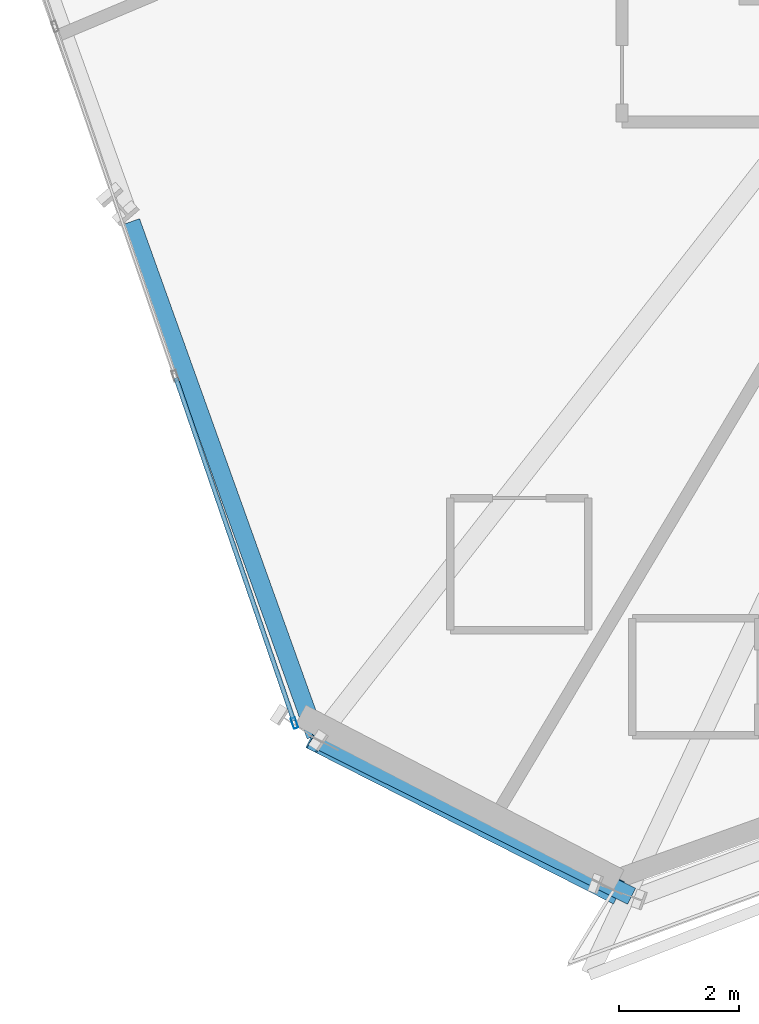
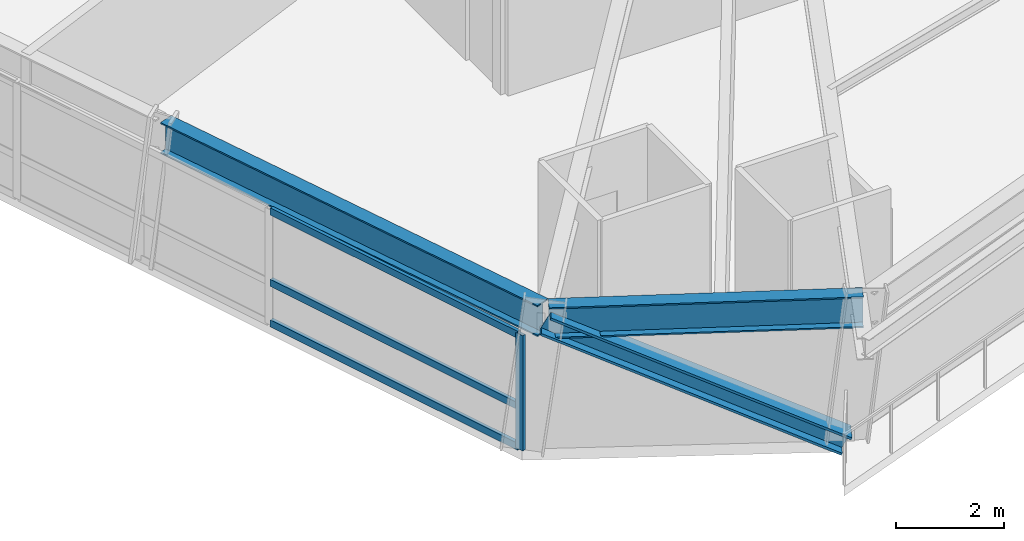
# One storey, part 2 of 22: 5 members, 2 beams, 1 element without a shape of its own.
"""IFC4 building model written with IfcOpenShell, lengths in metres."""

from ifc_helpers import new_model, si_unit, direction, frame, origin, origin_2d, place, context, subcontext, project, spatial, hollow_rectangle, i_section, extrude, source, transform, mapped, material, material_profile, profile_set, type_object, element, aggregate, save


model = new_model("IFC4")

# Units and contexts
model_context = context("Model", 3, precision=1e-05, world=origin(), true_north=direction((0.0, 1.0)))
body_context = subcontext(model_context, "Body", "Model", "MODEL_VIEW")
ifc_project = project(units=[si_unit("LENGTHUNIT", "METRE"), si_unit("AREAUNIT", "SQUARE_METRE"), si_unit("VOLUMEUNIT", "CUBIC_METRE"), si_unit("PLANEANGLEUNIT", "RADIAN"), si_unit("MASSUNIT", "GRAM", prefix="KILO")], contexts=[model_context])

# Site, building, storey
site_placement = place(None, origin())
site = spatial("IfcSite", under=ifc_project, at=site_placement, CompositionType="ELEMENT")
building_placement = place(site_placement, origin())
building = spatial("IfcBuilding", under=site, at=building_placement, Name="Olszyna Solenne Hotel", CompositionType="ELEMENT")
storey_placement = place(building_placement, frame((0.0, 0.0, 61.25)))
storey = spatial("IfcBuildingStorey", under=building, at=storey_placement, Name="L15", CompositionType="ELEMENT", Elevation=61.25)

# Beams
ifc_material_1 = material(Name="Steel S355J2", Category="steel")
ifc_material_profile_1 = material_profile(ifc_material_1, i_section(OverallWidth=0.300048828125, OverallDepth=0.699951171875, WebThickness=0.01708984375, FlangeThickness=0.031982421875, at=origin_2d()), Name="HEB 700", Category="load-bearing")
ifc_profile_set_1 = profile_set([ifc_material_profile_1], Name="Steel S355J2")
beam_type = type_object("IfcBeamType", Name="BM-S1", PredefinedType="BEAM", material=ifc_profile_set_1)
shared_shape_1 = source(origin(), body_context, "Body", "SweptSolid", [
    extrude(i_section(OverallWidth=0.300048828125, OverallDepth=0.699951171875, WebThickness=0.01708984375, FlangeThickness=0.031982421875, at=origin_2d()), origin(), (0.0, 0.0, 1.0), 9.107666015625),
])
beam_1_placement = place(storey_placement, frame((19.118408203125, 15.040283203125, 2.949951171875), z_axis=(0.337618151165, -0.941283158249, 0.0), x_axis=(0.941283158249, 0.337618151165, 0.0)))
element("IfcBeam", 1, at=beam_1_placement, inside=storey, type_object=beam_type, Name="Perimeter spandrel beam BM-S1 B-L15-0473", PredefinedType="BEAM", context=body_context, shape_type="MappedRepresentation", body=[
    mapped(shared_shape_1, transform((0.0, 0.0, 0.0), x_axis=(1.0, 0.0, 0.0), y_axis=(0.0, 1.0, 0.0), z_axis=(0.0, 0.0, 1.0), scale=1.0)),
])
shared_shape_2 = source(origin(), body_context, "Body", "SweptSolid", [
    extrude(i_section(OverallWidth=0.300048828125, OverallDepth=0.699951171875, WebThickness=0.01708984375, FlangeThickness=0.031982421875, at=origin_2d()), origin(), (0.0, 0.0, 1.0), 5.807373046875),
])
beam_2_placement = place(storey_placement, frame((22.267333984375, 6.3837890625, 2.949951171875), z_axis=(0.894947879558, -0.446170699256, 0.0), x_axis=(0.446170699256, 0.894947879558, 0.0)))
element("IfcBeam", 2, at=beam_2_placement, inside=storey, type_object=beam_type, Name="Perimeter spandrel beam BM-S1 B-L15-0474", PredefinedType="BEAM", context=body_context, shape_type="MappedRepresentation", body=[
    mapped(shared_shape_2, transform((0.0, 0.0, 0.0), x_axis=(1.0, 0.0, 0.0), y_axis=(0.0, 1.0, 0.0), z_axis=(0.0, 0.0, 1.0), scale=1.0)),
])

# Member
ifc_material_2 = material(Name="Steel S460M", Category="steel")
ifc_material_profile_2 = material_profile(ifc_material_2, i_section(OverallWidth=0.412109375, OverallDepth=0.43505859375, WebThickness=0.031494140625, FlangeThickness=0.050048828125, at=origin_2d()), Name="HD 400x463", Category="load-bearing")
ifc_profile_set_2 = profile_set([ifc_material_profile_2], Name="Steel S460M")
member_type_1 = type_object("IfcMemberType", Name="BR-T1", PredefinedType="BRACE", material=ifc_profile_set_2)
shared_shape_3 = source(origin(), body_context, "Body", "SweptSolid", [
    extrude(i_section(OverallWidth=0.412109375, OverallDepth=0.43505859375, WebThickness=0.031494140625, FlangeThickness=0.050048828125, at=origin_2d()), origin(), (0.0, 0.0, 1.0), 6.26708984375),
])
member_1_placement = place(storey_placement, frame((27.163818359375, 3.894287109375, 0.010009765625), z_axis=(-0.789878801693, 0.401523022739, 0.46354152009), x_axis=(-0.45314779487, -0.891435402037, 0.0)))
element("IfcMember", 3, at=member_1_placement, inside=storey, type_object=member_type_1, Name="Perimeter braced-tube diagonal BR-T1 BR-L15-3", PredefinedType="BRACE", context=body_context, shape_type="MappedRepresentation", body=[
    mapped(shared_shape_3, transform((0.0, 0.0, 0.0), x_axis=(1.0, 0.0, 0.0), y_axis=(0.0, 1.0, 0.0), z_axis=(0.0, 0.0, 1.0), scale=1.0)),
])

# Curtain wall, members
ifc_material_3 = material(Name="Anodised bronze aluminium", Category="aluminium")
curtain_wall_type = type_object("IfcCurtainWallType", Name="CW-SYS-2", PredefinedType="NOTDEFINED", material=ifc_material_3)
curtain_wall_placement = place(storey_placement, origin())
curtain_wall = element("IfcCurtainWall", 4, at=curtain_wall_placement, inside=storey, type_object=curtain_wall_type, Name="Unitised curtain wall CW-SYS-2 CW-L15-01", PredefinedType="NOTDEFINED")
ifc_material_profile_3 = material_profile(ifc_material_3, hollow_rectangle(XDim=0.074951171875, YDim=0.179931640625, WallThickness=0.00439453125, at=origin_2d()), Name="MULL 180x75x4.5", Category="load-bearing")
ifc_profile_set_3 = profile_set([ifc_material_profile_3], Name="Anodised bronze aluminium")
member_type_2 = type_object("IfcMemberType", Name="CW-M2", PredefinedType="MULLION", material=ifc_profile_set_3)
shared_shape_4 = source(origin(), body_context, "Body", "SweptSolid", [
    extrude(hollow_rectangle(XDim=0.074951171875, YDim=0.179931640625, WallThickness=0.00439453125, at=origin_2d()), origin(), (0.0, 0.0, 1.0), 2.592041015625),
])
member_2_placement = place(storey_placement, frame((21.843505859375, 6.68115234375, 0.0), z_axis=(0.0, 0.0, 1.0), x_axis=(0.945661432692, 0.325152971259, 0.0)))
member_2 = element("IfcMember", 5, at=member_2_placement, type_object=member_type_2, Name="Curtain-wall mullion CW-M2 CM-L15-01-04", PredefinedType="MULLION", context=body_context, shape_type="MappedRepresentation", body=[
    mapped(shared_shape_4, transform((0.0, 0.0, 0.0), x_axis=(1.0, 0.0, 0.0), y_axis=(0.0, 1.0, 0.0), z_axis=(0.0, 0.0, 1.0), scale=1.0)),
])
ifc_material_profile_4 = material_profile(ifc_material_3, hollow_rectangle(XDim=0.074951171875, YDim=0.159912109375, WallThickness=0.00390625, at=origin_2d()), Name="TRAN 160x75x4", Category="load-bearing")
ifc_profile_set_4 = profile_set([ifc_material_profile_4], Name="Anodised bronze aluminium")
member_type_3 = type_object("IfcMemberType", Name="CW-T1", PredefinedType="USERDEFINED", material=ifc_profile_set_4)
shared_shape_5 = source(origin(), body_context, "Body", "SweptSolid", [
    extrude(hollow_rectangle(XDim=0.074951171875, YDim=0.159912109375, WallThickness=0.00390625, at=origin_2d()), origin(), (0.0, 0.0, 1.0), 6.046875),
])
member_3_placement = place(storey_placement, frame((19.865234375, 12.43505859375, 0.03759765625), z_axis=(0.325140700742, -0.945665651655, 0.0), x_axis=(0.945665651655, 0.325140700742, 0.0)))
member_3 = element("IfcMember", 6, at=member_3_placement, type_object=member_type_3, Name="Curtain-wall transom CW-T1 CT-L15-01-07", ObjectType="TRANSOM", PredefinedType="USERDEFINED", context=body_context, shape_type="MappedRepresentation", body=[
    mapped(shared_shape_5, transform((0.0, 0.0, 0.0), x_axis=(1.0, 0.0, 0.0), y_axis=(0.0, 1.0, 0.0), z_axis=(0.0, 0.0, 1.0), scale=1.0)),
])
member_4_placement = place(storey_placement, frame((19.865234375, 12.43505859375, 0.949951171875), z_axis=(0.325140700742, -0.945665651655, 0.0), x_axis=(0.945665651655, 0.325140700742, 0.0)))
member_4 = element("IfcMember", 7, at=member_4_placement, type_object=member_type_3, Name="Curtain-wall transom CW-T1 CT-L15-01-08", ObjectType="TRANSOM", PredefinedType="USERDEFINED", context=body_context, shape_type="MappedRepresentation", body=[
    mapped(shared_shape_5, transform((0.0, 0.0, 0.0), x_axis=(1.0, 0.0, 0.0), y_axis=(0.0, 1.0, 0.0), z_axis=(0.0, 0.0, 1.0), scale=1.0)),
])
member_5_placement = place(storey_placement, frame((19.865234375, 12.43505859375, 2.554443359375), z_axis=(0.325140700742, -0.945665651655, 0.0), x_axis=(0.945665651655, 0.325140700742, 0.0)))
member_5 = element("IfcMember", 8, at=member_5_placement, type_object=member_type_3, Name="Curtain-wall transom CW-T1 CT-L15-01-09", ObjectType="TRANSOM", PredefinedType="USERDEFINED", context=body_context, shape_type="MappedRepresentation", body=[
    mapped(shared_shape_5, transform((0.0, 0.0, 0.0), x_axis=(1.0, 0.0, 0.0), y_axis=(0.0, 1.0, 0.0), z_axis=(0.0, 0.0, 1.0), scale=1.0)),
])
aggregate(curtain_wall, [member_2, member_3, member_4, member_5])

save(model, "model.ifc")
